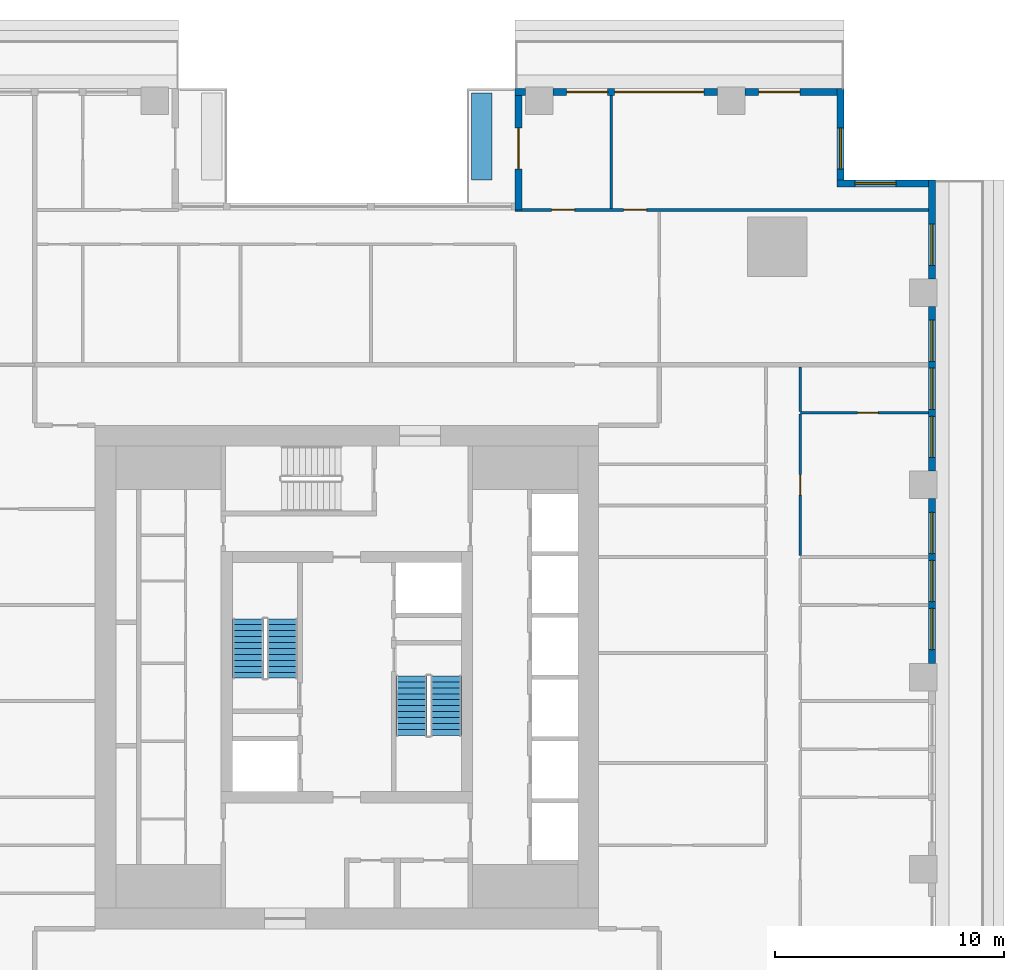
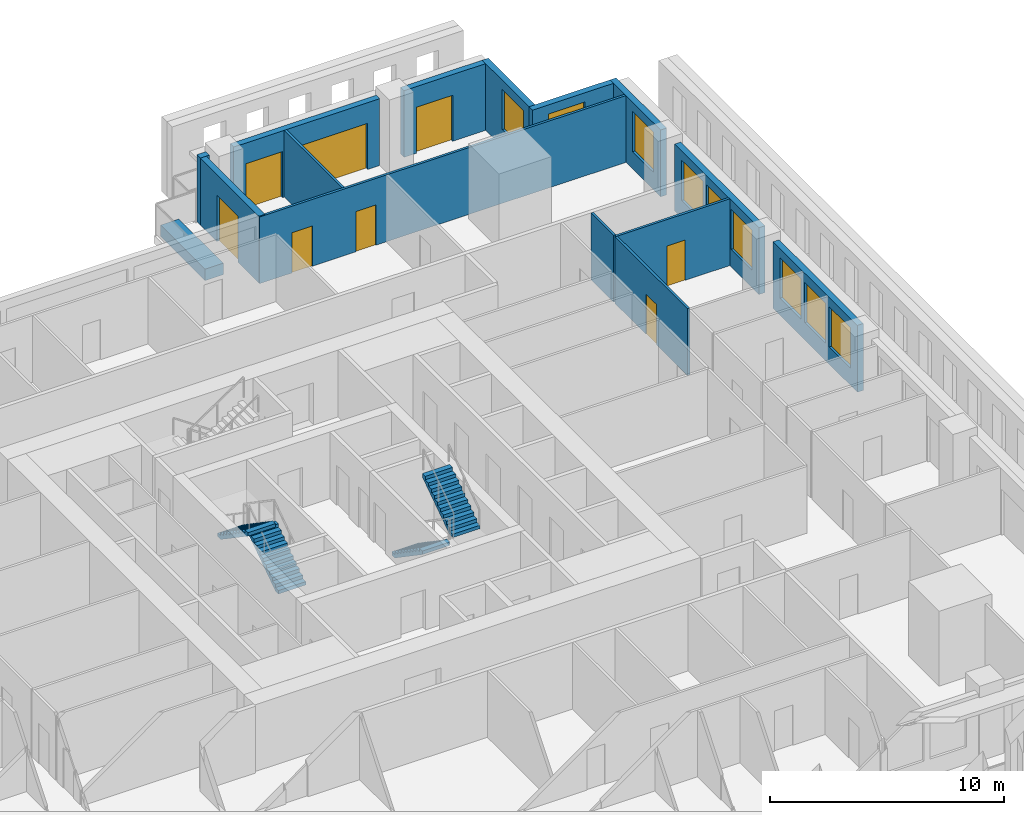
# One storey, part 9 of 16: 15 walls, 9 windows, 8 doors, 4 stair flights, 17 openings, 2 elements without a shape of their own.
"""IFC4 building model written with IfcOpenShell, lengths in metres."""

import ifcopenshell
import ifcopenshell.guid

model = None  # the IFC model being written
_history = None  # IfcOwnerHistory: only IFC2X3 demands one
_inside = {}  # id of a spatial element -> (the spatial element, [elements in it])
_under = {}  # id of a project, library or spatial element -> (it, [spatial elements below it])
_declared = {}  # id of a project -> (the project, [libraries it declares])
_typed = {}  # id of a type object -> (the type object, [elements of that type])
_made_of = {}  # id of a material, layer set ... -> (it, [elements and type objects made of it])


def new_model(schema):
    """Start an empty IFC model of exactly this schema.

    Asked for "IFC4X3", IfcOpenShell would pick the latest addendum, in which some entities
    have other attributes; the version numbers below select the first issue.
    IFC2X3 requires an IfcOwnerHistory on every rooted entity: one is made here for all.
    """
    global model, _history
    if schema == "IFC4X3":
        model = ifcopenshell.file(schema_version=(4, 3, 0, 0))
    else:
        model = ifcopenshell.file(schema=schema)
    _inside.clear()
    _under.clear()
    _declared.clear()
    _typed.clear()
    _made_of.clear()
    _history = None
    if model.schema == "IFC2X3":
        org = make("IfcOrganization", Name="unknown")
        user = make(
            "IfcPersonAndOrganization",
            ThePerson=make("IfcPerson", FamilyName="unknown"),
            TheOrganization=org,
        )
        app = make(
            "IfcApplication",
            ApplicationDeveloper=org,
            Version="unknown",
            ApplicationFullName="unknown",
            ApplicationIdentifier="unknown",
        )
        _history = make(
            "IfcOwnerHistory",
            OwningUser=user,
            OwningApplication=app,
            ChangeAction="ADDED",
            CreationDate=0,
        )
    return model


def make(cls, **values):
    """One entity of the class cls with the attributes given. An attribute that is None is left unset."""
    return model.create_entity(
        cls, **{name: value for name, value in values.items() if value is not None}
    )


def rooted(cls, **values):
    """An entity with a GlobalId (a new one), such as an element, a storey or a relation."""
    return make(cls, GlobalId=ifcopenshell.guid.new(), OwnerHistory=_history, **values)


def si_unit(unit_type, name, prefix=None):
    """IfcSIUnit, for example si_unit("LENGTHUNIT", "METRE", prefix="MILLI")."""
    return make("IfcSIUnit", UnitType=unit_type, Prefix=prefix, Name=name)


def assignment(units):
    """IfcUnitAssignment: the units of a project."""
    return None if units is None else make("IfcUnitAssignment", Units=units)


def point(xyz):
    """IfcCartesianPoint."""
    return None if xyz is None else make("IfcCartesianPoint", Coordinates=xyz)


def direction(xyz):
    """IfcDirection."""
    return None if xyz is None else make("IfcDirection", DirectionRatios=xyz)


def frame(location, z_axis=None, x_axis=None):
    """IfcAxis2Placement3D, a coordinate frame: its origin and axes. An axis left out is left unset."""
    return make(
        "IfcAxis2Placement3D",
        Location=point(location),
        Axis=direction(z_axis),
        RefDirection=direction(x_axis),
    )


def frame_2d(location, x_axis=None):
    """IfcAxis2Placement2D, a coordinate frame in the plane: its origin and x axis."""
    return make(
        "IfcAxis2Placement2D", Location=point(location), RefDirection=direction(x_axis)
    )


def origin():
    """The frame at (0, 0, 0) with its axes left unset."""
    return frame((0.0, 0.0, 0.0))


def place(relative_to, where):
    """IfcLocalPlacement: puts the frame where relative to a parent placement (None: the world)."""
    return make(
        "IfcLocalPlacement", PlacementRelTo=relative_to, RelativePlacement=where
    )


def context(
    kind, dimensions, precision=None, world=None, true_north=None, identifier=None
):
    """IfcGeometricRepresentationContext, for example the 3D "Model" context."""
    return make(
        "IfcGeometricRepresentationContext",
        ContextIdentifier=identifier,
        ContextType=kind,
        CoordinateSpaceDimension=dimensions,
        Precision=precision,
        WorldCoordinateSystem=world,
        TrueNorth=true_north,
    )


def subcontext(parent, identifier, kind, view, scale=None):
    """IfcGeometricRepresentationSubContext, for example "Body" below "Model"."""
    return make(
        "IfcGeometricRepresentationSubContext",
        ContextIdentifier=identifier,
        ContextType=kind,
        ParentContext=parent,
        TargetScale=scale,
        TargetView=view,
    )


def project(units=None, contexts=None):
    """IfcProject with its units and contexts."""
    return rooted(
        "IfcProject",
        Name="project",
        RepresentationContexts=contexts,
        UnitsInContext=assignment(units),
    )


def spatial(cls, under=None, at=None, **own):
    """A site, building, storey or space (cls), placed at a placement, below another one or the project."""
    s = rooted(cls, ObjectPlacement=at, **own)
    if under is not None:
        _under.setdefault(under.id(), (under, []))[1].append(s)
    return s


def polyline(points):
    """IfcPolyline through the points."""
    return make("IfcPolyline", Points=[point(p) for p in points])


def profile(cls, at=None, kind="AREA", **sizes):
    """A parametric profile (cls). Its sizes go by their IFC names, for example OverallWidth=200.0."""
    return make(cls, ProfileType=kind, Position=at, **sizes)


def rectangle(**sizes):
    """IfcRectangleProfileDef."""
    return profile("IfcRectangleProfileDef", **sizes)


def outline(outer, holes=None, kind="AREA"):
    """IfcArbitraryClosedProfileDef: a profile drawn as a closed curve; with holes, ...WithVoids."""
    if holes is None:
        return make("IfcArbitraryClosedProfileDef", ProfileType=kind, OuterCurve=outer)
    return make(
        "IfcArbitraryProfileDefWithVoids",
        ProfileType=kind,
        OuterCurve=outer,
        InnerCurves=holes,
    )


def extrude(swept, where, along, depth):
    """IfcExtrudedAreaSolid: the profile swept, set in the frame where, extruded along a direction by depth."""
    return make(
        "IfcExtrudedAreaSolid",
        SweptArea=swept,
        Position=where,
        ExtrudedDirection=direction(along),
        Depth=depth,
    )


def shape(context_of_items, identifier, shape_type, items):
    """IfcShapeRepresentation: the items that make up one representation, for example the "Body"."""
    return make(
        "IfcShapeRepresentation",
        ContextOfItems=context_of_items,
        RepresentationIdentifier=identifier,
        RepresentationType=shape_type,
        Items=items,
    )


def material(Name=None, Category=None):
    """IfcMaterial."""
    return make("IfcMaterial", Name=Name, Category=Category)


def layer(
    of_material, thickness, ventilated=None, Name=None, Category=None, Priority=None
):
    """IfcMaterialLayer: one layer of a wall or slab, of a material (None: an air gap)."""
    return make(
        "IfcMaterialLayer",
        Material=of_material,
        LayerThickness=thickness,
        IsVentilated=ventilated,
        Name=Name,
        Category=Category,
        Priority=Priority,
    )


def layer_set(layers, Name=None):
    """IfcMaterialLayerSet."""
    return make("IfcMaterialLayerSet", MaterialLayers=layers, LayerSetName=Name)


def made_of(thing, what):
    """Note that an element or type object is made of a material, layer set ...; save() writes the relation."""
    if what is not None:
        _made_of.setdefault(what.id(), (what, []))[1].append(thing)
    return thing


def type_object(cls, material=None, **own):
    """A type object (cls), such as IfcWallType, which elements share."""
    return made_of(rooted(cls, **own), material)


def element(
    cls,
    number,
    at=None,
    inside=None,
    cuts=None,
    type_object=None,
    material=None,
    context=None,
    identifier="Body",
    shape_type=None,
    held_by="IfcProductDefinitionShape",
    body=None,
    shapes=None,
    **own,
):
    """One element of the class cls, such as IfcWall. Its Tag is "e" and its number.

    at: its placement. inside: the storey or other place that contains it. cuts: it is an
    opening in that element (IfcRelVoidsElement). A single representation is given by context,
    identifier, shape_type and body (its items); several are given by shapes. held_by: the class
    of the entity that holds the representations. save() writes the other relations.
    """
    e = rooted(cls, Tag="e%d" % number, ObjectPlacement=at, **own)
    if body is not None:
        shapes = [shape(context, identifier, shape_type, body)]
    if shapes is not None:
        e.Representation = make(held_by, Representations=shapes)
    if inside is not None:
        _inside.setdefault(inside.id(), (inside, []))[1].append(e)
    if cuts is not None:
        rooted(
            "IfcRelVoidsElement", RelatingBuildingElement=cuts, RelatedOpeningElement=e
        )
    if type_object is not None:
        _typed.setdefault(type_object.id(), (type_object, []))[1].append(e)
    return made_of(e, material)


def fill(opening, filler):
    """IfcRelFillsElement: the door or window that sits in an opening."""
    return rooted(
        "IfcRelFillsElement",
        RelatingOpeningElement=opening,
        RelatedBuildingElement=filler,
    )


def aggregate(whole, parts):
    """IfcRelAggregates: a whole, such as a stair, and the parts it consists of."""
    return rooted("IfcRelAggregates", RelatingObject=whole, RelatedObjects=parts)


def save(model, path):
    """Write the relations noted so far, then the file.

    IfcRelAggregates (storeys below a building ...), IfcRelContainedInSpatialStructure (elements
    in a storey), IfcRelDefinesByType, IfcRelAssociatesMaterial and IfcRelDeclares: one each for
    every whole, place, type object, material and project.
    """
    for whole, parts in _under.values():
        aggregate(whole, parts)
    for where, things in _inside.values():
        rooted(
            "IfcRelContainedInSpatialStructure",
            RelatedElements=things,
            RelatingStructure=where,
        )
    for kind, things in _typed.values():
        rooted("IfcRelDefinesByType", RelatedObjects=things, RelatingType=kind)
    for what, things in _made_of.values():
        rooted("IfcRelAssociatesMaterial", RelatedObjects=things, RelatingMaterial=what)
    for by, libraries in _declared.values():
        rooted("IfcRelDeclares", RelatingContext=by, RelatedDefinitions=libraries)
    model.write(path)


model = new_model("IFC4")

# Units and contexts
model_context = context("Model", 3, precision=1e-05, world=origin(), true_north=direction((0.0, 1.0)))
body_context = subcontext(model_context, "Body", "Model", "MODEL_VIEW")
ifc_project = project(units=[si_unit("LENGTHUNIT", "METRE"), si_unit("AREAUNIT", "SQUARE_METRE"), si_unit("VOLUMEUNIT", "CUBIC_METRE"), si_unit("PLANEANGLEUNIT", "RADIAN"), si_unit("MASSUNIT", "GRAM", prefix="KILO")], contexts=[model_context])

# Site, building, storey
site_placement = place(None, origin())
site = spatial("IfcSite", under=ifc_project, at=site_placement, CompositionType="ELEMENT")
building_placement = place(site_placement, origin())
building = spatial("IfcBuilding", under=site, at=building_placement, Name="Khepri Terraces", CompositionType="ELEMENT")
storey_placement = place(building_placement, frame((0.0, 0.0, 149.39990234375)))
storey = spatial("IfcBuildingStorey", under=building, at=storey_placement, Name="L35", CompositionType="ELEMENT", Elevation=149.39990234375)

# Wall, openings, windows
ifc_material_1 = material(Name="Precast concrete C50/60 warm stone", Category="masonry")
ifc_layer_1 = layer(ifc_material_1, 0.300048828125, Name="Precast concrete C50/60 warm stone", Category="masonry")
ifc_layer_set_1 = layer_set([ifc_layer_1], Name="Precast concrete C50/60 warm stone")
wall_type_1 = type_object("IfcWallType", Name="WL-EXT-PRECAST-300", PredefinedType="STANDARD", material=ifc_layer_set_1)
wall_1_placement = place(storey_placement, frame((25.570068359375, 0.60009765625, 0.0), z_axis=(0.0, 0.0, 1.0), x_axis=(0.0, 1.0, 0.0)))
wall_1 = element("IfcWall", 1, at=wall_1_placement, inside=storey, type_object=wall_type_1, Name="External wall L35 E", PredefinedType="STANDARD", context=body_context, shape_type="SweptSolid", body=[
    extrude(rectangle(XDim=7.199951171875, YDim=0.300048828125, at=frame_2d((3.60009765625, 0.0))), origin(), (0.0, 0.0, 1.0), 3.47998046875),
])
opening_1_placement = place(wall_1_placement, frame((0.60009765625, 0.0, 0.89990234375)))
opening_1 = element("IfcOpeningElement", 2, at=opening_1_placement, cuts=wall_1, Name="Opening W1", PredefinedType="OPENING", context=body_context, shape_type="SweptSolid", body=[
    extrude(rectangle(XDim=1.800048828125, YDim=2.10009765625, at=frame_2d((0.89990234375, 1.050048828125))), frame((0.0, 0.16015625, 0.0), z_axis=(0.0, -1.0, 0.0), x_axis=(1.0, 0.0, 0.0)), (0.0, 0.0, 1.0), 0.320068359375),
])
opening_2_placement = place(wall_1_placement, frame((2.699951171875, 0.0, 0.89990234375)))
opening_2 = element("IfcOpeningElement", 3, at=opening_2_placement, cuts=wall_1, Name="Opening W1", PredefinedType="OPENING", context=body_context, shape_type="SweptSolid", body=[
    extrude(rectangle(XDim=1.800048828125, YDim=2.10009765625, at=frame_2d((0.89990234375, 1.050048828125))), frame((0.0, 0.16015625, 0.0), z_axis=(0.0, -1.0, 0.0), x_axis=(1.0, 0.0, 0.0)), (0.0, 0.0, 1.0), 0.320068359375),
])
opening_3_placement = place(wall_1_placement, frame((4.800048828125, 0.0, 0.89990234375)))
opening_3 = element("IfcOpeningElement", 4, at=opening_3_placement, cuts=wall_1, Name="Opening W1", PredefinedType="OPENING", context=body_context, shape_type="SweptSolid", body=[
    extrude(rectangle(XDim=1.800048828125, YDim=2.10009765625, at=frame_2d((0.89990234375, 1.050048828125))), frame((0.0, 0.16015625, 0.0), z_axis=(0.0, -1.0, 0.0), x_axis=(1.0, 0.0, 0.0)), (0.0, 0.0, 1.0), 0.320068359375),
])
ifc_material_2 = material(Name="Clear glass", Category="glass")
window_type = type_object("IfcWindowType", Name="WIN-RES-1800x2100", PartitioningType="SINGLE_PANEL", PredefinedType="WINDOW", material=ifc_material_2)
window_1_placement = place(opening_1_placement, origin())
window_1 = element("IfcWindow", 5, at=window_1_placement, inside=storey, type_object=window_type, Name="Window L35 E", OverallHeight=2.10009765625, OverallWidth=1.800048828125, PartitioningType="SINGLE_PANEL", PredefinedType="WINDOW", context=body_context, shape_type="SweptSolid", body=[
    extrude(rectangle(XDim=1.800048828125, YDim=2.10009765625, at=frame_2d((0.89990234375, 1.050048828125))), frame((0.0, 0.030029296875, 0.0), z_axis=(0.0, -1.0, 0.0), x_axis=(1.0, 0.0, 0.0)), (0.0, 0.0, 1.0), 0.06005859375),
])
fill(opening_1, window_1)
window_2_placement = place(opening_2_placement, origin())
window_2 = element("IfcWindow", 6, at=window_2_placement, inside=storey, type_object=window_type, Name="Window L35 E", OverallHeight=2.10009765625, OverallWidth=1.800048828125, PartitioningType="SINGLE_PANEL", PredefinedType="WINDOW", context=body_context, shape_type="SweptSolid", body=[
    extrude(rectangle(XDim=1.800048828125, YDim=2.10009765625, at=frame_2d((0.89990234375, 1.050048828125))), frame((0.0, 0.030029296875, 0.0), z_axis=(0.0, -1.0, 0.0), x_axis=(1.0, 0.0, 0.0)), (0.0, 0.0, 1.0), 0.06005859375),
])
fill(opening_2, window_2)
window_3_placement = place(opening_3_placement, origin())
window_3 = element("IfcWindow", 7, at=window_3_placement, inside=storey, type_object=window_type, Name="Window L35 E", OverallHeight=2.10009765625, OverallWidth=1.800048828125, PartitioningType="SINGLE_PANEL", PredefinedType="WINDOW", context=body_context, shape_type="SweptSolid", body=[
    extrude(rectangle(XDim=1.800048828125, YDim=2.10009765625, at=frame_2d((0.89990234375, 1.050048828125))), frame((0.0, 0.030029296875, 0.0), z_axis=(0.0, -1.0, 0.0), x_axis=(1.0, 0.0, 0.0)), (0.0, 0.0, 1.0), 0.06005859375),
])
fill(opening_3, window_3)

wall_2_placement = place(storey_placement, frame((25.570068359375, 9.0, 0.0), z_axis=(0.0, 0.0, 1.0), x_axis=(0.0, 1.0, 0.0)))
wall_2 = element("IfcWall", 8, at=wall_2_placement, inside=storey, type_object=wall_type_1, Name="External wall L35 E", PredefinedType="STANDARD", context=body_context, shape_type="SweptSolid", body=[
    extrude(rectangle(XDim=7.199951171875, YDim=0.300048828125, at=frame_2d((3.60009765625, 0.0))), origin(), (0.0, 0.0, 1.0), 3.47998046875),
])
opening_4_placement = place(wall_2_placement, frame((0.60009765625, 0.0, 0.89990234375)))
opening_4 = element("IfcOpeningElement", 9, at=opening_4_placement, cuts=wall_2, Name="Opening W1", PredefinedType="OPENING", context=body_context, shape_type="SweptSolid", body=[
    extrude(rectangle(XDim=1.800048828125, YDim=2.10009765625, at=frame_2d((0.89990234375, 1.050048828125))), frame((0.0, 0.16015625, 0.0), z_axis=(0.0, -1.0, 0.0), x_axis=(1.0, 0.0, 0.0)), (0.0, 0.0, 1.0), 0.320068359375),
])
opening_5_placement = place(wall_2_placement, frame((2.699951171875, 0.0, 0.89990234375)))
opening_5 = element("IfcOpeningElement", 10, at=opening_5_placement, cuts=wall_2, Name="Opening W1", PredefinedType="OPENING", context=body_context, shape_type="SweptSolid", body=[
    extrude(rectangle(XDim=1.800048828125, YDim=2.10009765625, at=frame_2d((0.89990234375, 1.050048828125))), frame((0.0, 0.16015625, 0.0), z_axis=(0.0, -1.0, 0.0), x_axis=(1.0, 0.0, 0.0)), (0.0, 0.0, 1.0), 0.320068359375),
])
opening_6_placement = place(wall_2_placement, frame((4.800048828125, 0.0, 0.89990234375)))
opening_6 = element("IfcOpeningElement", 11, at=opening_6_placement, cuts=wall_2, Name="Opening W1", PredefinedType="OPENING", context=body_context, shape_type="SweptSolid", body=[
    extrude(rectangle(XDim=1.800048828125, YDim=2.10009765625, at=frame_2d((0.89990234375, 1.050048828125))), frame((0.0, 0.16015625, 0.0), z_axis=(0.0, -1.0, 0.0), x_axis=(1.0, 0.0, 0.0)), (0.0, 0.0, 1.0), 0.320068359375),
])
window_4_placement = place(opening_4_placement, origin())
window_4 = element("IfcWindow", 12, at=window_4_placement, inside=storey, type_object=window_type, Name="Window L35 E", OverallHeight=2.10009765625, OverallWidth=1.800048828125, PartitioningType="SINGLE_PANEL", PredefinedType="WINDOW", context=body_context, shape_type="SweptSolid", body=[
    extrude(rectangle(XDim=1.800048828125, YDim=2.10009765625, at=frame_2d((0.89990234375, 1.050048828125))), frame((0.0, 0.030029296875, 0.0), z_axis=(0.0, -1.0, 0.0), x_axis=(1.0, 0.0, 0.0)), (0.0, 0.0, 1.0), 0.06005859375),
])
fill(opening_4, window_4)
window_5_placement = place(opening_5_placement, origin())
window_5 = element("IfcWindow", 13, at=window_5_placement, inside=storey, type_object=window_type, Name="Window L35 E", OverallHeight=2.10009765625, OverallWidth=1.800048828125, PartitioningType="SINGLE_PANEL", PredefinedType="WINDOW", context=body_context, shape_type="SweptSolid", body=[
    extrude(rectangle(XDim=1.800048828125, YDim=2.10009765625, at=frame_2d((0.89990234375, 1.050048828125))), frame((0.0, 0.030029296875, 0.0), z_axis=(0.0, -1.0, 0.0), x_axis=(1.0, 0.0, 0.0)), (0.0, 0.0, 1.0), 0.06005859375),
])
fill(opening_5, window_5)
window_6_placement = place(opening_6_placement, origin())
window_6 = element("IfcWindow", 14, at=window_6_placement, inside=storey, type_object=window_type, Name="Window L35 E", OverallHeight=2.10009765625, OverallWidth=1.800048828125, PartitioningType="SINGLE_PANEL", PredefinedType="WINDOW", context=body_context, shape_type="SweptSolid", body=[
    extrude(rectangle(XDim=1.800048828125, YDim=2.10009765625, at=frame_2d((0.89990234375, 1.050048828125))), frame((0.0, 0.030029296875, 0.0), z_axis=(0.0, -1.0, 0.0), x_axis=(1.0, 0.0, 0.0)), (0.0, 0.0, 1.0), 0.06005859375),
])
fill(opening_6, window_6)

# Wall, opening, window
wall_3_placement = place(storey_placement, frame((25.570068359375, 17.39990234375, 0.0), z_axis=(0.0, 0.0, 1.0), x_axis=(0.0, 1.0, 0.0)))
wall_3 = element("IfcWall", 15, at=wall_3_placement, inside=storey, type_object=wall_type_1, Name="External wall L35 E", PredefinedType="STANDARD", context=body_context, shape_type="SweptSolid", body=[
    extrude(rectangle(XDim=4.320068359375, YDim=0.300048828125, at=frame_2d((2.16015625, 0.0))), origin(), (0.0, 0.0, 1.0), 3.47998046875),
])
opening_7_placement = place(wall_3_placement, frame((0.60009765625, 0.0, 0.89990234375)))
opening_7 = element("IfcOpeningElement", 16, at=opening_7_placement, cuts=wall_3, Name="Opening W1", PredefinedType="OPENING", context=body_context, shape_type="SweptSolid", body=[
    extrude(rectangle(XDim=1.800048828125, YDim=2.10009765625, at=frame_2d((0.89990234375, 1.050048828125))), frame((0.0, 0.16015625, 0.0), z_axis=(0.0, -1.0, 0.0), x_axis=(1.0, 0.0, 0.0)), (0.0, 0.0, 1.0), 0.320068359375),
])
window_7_placement = place(opening_7_placement, origin())
window_7 = element("IfcWindow", 17, at=window_7_placement, inside=storey, type_object=window_type, Name="Window L35 E", OverallHeight=2.10009765625, OverallWidth=1.800048828125, PartitioningType="SINGLE_PANEL", PredefinedType="WINDOW", context=body_context, shape_type="SweptSolid", body=[
    extrude(rectangle(XDim=1.800048828125, YDim=2.10009765625, at=frame_2d((0.89990234375, 1.050048828125))), frame((0.0, 0.030029296875, 0.0), z_axis=(0.0, -1.0, 0.0), x_axis=(1.0, 0.0, 0.0)), (0.0, 0.0, 1.0), 0.06005859375),
])
fill(opening_7, window_7)

wall_4_placement = place(storey_placement, frame((25.419921875, 21.570068359375, 0.0), z_axis=(0.0, 0.0, 1.0), x_axis=(-1.0, 0.0, 0.0)))
wall_4 = element("IfcWall", 18, at=wall_4_placement, inside=storey, type_object=wall_type_1, Name="External wall L35 N", PredefinedType="STANDARD", context=body_context, shape_type="SweptSolid", body=[
    extrude(rectangle(XDim=4.0, YDim=0.300048828125, at=frame_2d((2.0, 0.0))), origin(), (0.0, 0.0, 1.0), 3.47998046875),
])
opening_8_placement = place(wall_4_placement, frame((1.419921875, 0.0, 0.89990234375)))
opening_8 = element("IfcOpeningElement", 19, at=opening_8_placement, cuts=wall_4, Name="Opening W1", PredefinedType="OPENING", context=body_context, shape_type="SweptSolid", body=[
    extrude(rectangle(XDim=1.800048828125, YDim=2.10009765625, at=frame_2d((0.89990234375, 1.050048828125))), frame((0.0, 0.16015625, 0.0), z_axis=(0.0, -1.0, 0.0), x_axis=(1.0, 0.0, 0.0)), (0.0, 0.0, 1.0), 0.320068359375),
])
window_8_placement = place(opening_8_placement, origin())
window_8 = element("IfcWindow", 20, at=window_8_placement, inside=storey, type_object=window_type, Name="Window L35 N", OverallHeight=2.10009765625, OverallWidth=1.800048828125, PartitioningType="SINGLE_PANEL", PredefinedType="WINDOW", context=body_context, shape_type="SweptSolid", body=[
    extrude(rectangle(XDim=1.800048828125, YDim=2.10009765625, at=frame_2d((0.89990234375, 1.050048828125))), frame((0.0, 0.030029296875, 0.0), z_axis=(0.0, -1.0, 0.0), x_axis=(1.0, 0.0, 0.0)), (0.0, 0.0, 1.0), 0.06005859375),
])
fill(opening_8, window_8)

wall_5_placement = place(storey_placement, frame((21.570068359375, 21.719970703125, 0.0), z_axis=(0.0, 0.0, 1.0), x_axis=(0.0, 1.0, 0.0)))
wall_5 = element("IfcWall", 21, at=wall_5_placement, inside=storey, type_object=wall_type_1, Name="External wall L35 E", PredefinedType="STANDARD", context=body_context, shape_type="SweptSolid", body=[
    extrude(rectangle(XDim=4.0, YDim=0.300048828125, at=frame_2d((2.0, 0.0))), origin(), (0.0, 0.0, 1.0), 3.47998046875),
])
opening_9_placement = place(wall_5_placement, frame((0.47998046875, 0.0, 0.89990234375)))
opening_9 = element("IfcOpeningElement", 22, at=opening_9_placement, cuts=wall_5, Name="Opening W1", PredefinedType="OPENING", context=body_context, shape_type="SweptSolid", body=[
    extrude(rectangle(XDim=1.800048828125, YDim=2.10009765625, at=frame_2d((0.89990234375, 1.050048828125))), frame((0.0, 0.16015625, 0.0), z_axis=(0.0, -1.0, 0.0), x_axis=(1.0, 0.0, 0.0)), (0.0, 0.0, 1.0), 0.320068359375),
])
window_9_placement = place(opening_9_placement, origin())
window_9 = element("IfcWindow", 23, at=window_9_placement, inside=storey, type_object=window_type, Name="Window L35 E", OverallHeight=2.10009765625, OverallWidth=1.800048828125, PartitioningType="SINGLE_PANEL", PredefinedType="WINDOW", context=body_context, shape_type="SweptSolid", body=[
    extrude(rectangle(XDim=1.800048828125, YDim=2.10009765625, at=frame_2d((0.89990234375, 1.050048828125))), frame((0.0, 0.030029296875, 0.0), z_axis=(0.0, -1.0, 0.0), x_axis=(1.0, 0.0, 0.0)), (0.0, 0.0, 1.0), 0.06005859375),
])
fill(opening_9, window_9)

# Wall, opening, door
wall_6_placement = place(storey_placement, frame((21.419921875, 25.570068359375, 0.0), z_axis=(0.0, 0.0, 1.0), x_axis=(-1.0, 0.0, 0.0)))
wall_6 = element("IfcWall", 24, at=wall_6_placement, inside=storey, type_object=wall_type_1, Name="External wall L35 N", PredefinedType="STANDARD", context=body_context, shape_type="SweptSolid", body=[
    extrude(rectangle(XDim=4.02001953125, YDim=0.300048828125, at=frame_2d((2.010009765625, 0.0))), origin(), (0.0, 0.0, 1.0), 3.47998046875),
])
opening_10_placement = place(wall_6_placement, frame((1.6201171875, 0.0, 0.0)))
opening_10 = element("IfcOpeningElement", 25, at=opening_10_placement, cuts=wall_6, Name="Opening ED-L35-05", PredefinedType="OPENING", context=body_context, shape_type="SweptSolid", body=[
    extrude(rectangle(XDim=1.800048828125, YDim=2.39990234375, at=frame_2d((0.89990234375, 1.199951171875))), frame((0.0, 0.16015625, 0.0), z_axis=(0.0, -1.0, 0.0), x_axis=(1.0, 0.0, 0.0)), (0.0, 0.0, 1.0), 0.320068359375),
])
ifc_material_3 = material(Name="Anodised aluminium bronze glazed door", Category="aluminium")
door_type_1 = type_object("IfcDoorType", Name="DR-BAL-SLIDE-1800x2400", OperationType="NOTDEFINED", PredefinedType="DOOR", material=ifc_material_3)
door_1_placement = place(opening_10_placement, origin())
door_1 = element("IfcDoor", 26, at=door_1_placement, inside=storey, type_object=door_type_1, Name="Balcony door L35 N", OperationType="SLIDING_TO_RIGHT", OverallHeight=2.39990234375, OverallWidth=1.800048828125, PredefinedType="DOOR", context=body_context, shape_type="SweptSolid", body=[
    extrude(rectangle(XDim=1.800048828125, YDim=2.39990234375, at=frame_2d((0.89990234375, 1.199951171875))), frame((0.0, 0.02490234375, 0.0), z_axis=(0.0, -1.0, 0.0), x_axis=(1.0, 0.0, 0.0)), (0.0, 0.0, 1.0), 0.050048828125),
])
fill(opening_10, door_1)

# Wall, openings, doors
wall_7_placement = place(storey_placement, frame((16.199951171875, 25.570068359375, 0.0), z_axis=(0.0, 0.0, 1.0), x_axis=(-1.0, 0.0, 0.0)))
wall_7 = element("IfcWall", 27, at=wall_7_placement, inside=storey, type_object=wall_type_1, Name="External wall L35 N", PredefinedType="STANDARD", context=body_context, shape_type="SweptSolid", body=[
    extrude(rectangle(XDim=7.199951171875, YDim=0.300048828125, at=frame_2d((3.60009765625, 0.0))), origin(), (0.0, 0.0, 1.0), 3.47998046875),
])
opening_11_placement = place(wall_7_placement, frame((0.60009765625, 0.0, 0.0)))
opening_11 = element("IfcOpeningElement", 28, at=opening_11_placement, cuts=wall_7, Name="Opening ED-L35-06", PredefinedType="OPENING", context=body_context, shape_type="SweptSolid", body=[
    extrude(rectangle(XDim=3.89990234375, YDim=2.39990234375, at=frame_2d((1.949951171875, 1.199951171875))), frame((0.0, 0.16015625, 0.0), z_axis=(0.0, -1.0, 0.0), x_axis=(1.0, 0.0, 0.0)), (0.0, 0.0, 1.0), 0.320068359375),
])
opening_12_placement = place(wall_7_placement, frame((4.800048828125, 0.0, 0.0)))
opening_12 = element("IfcOpeningElement", 29, at=opening_12_placement, cuts=wall_7, Name="Opening ED-L35-07", PredefinedType="OPENING", context=body_context, shape_type="SweptSolid", body=[
    extrude(rectangle(XDim=1.800048828125, YDim=2.39990234375, at=frame_2d((0.89990234375, 1.199951171875))), frame((0.0, 0.16015625, 0.0), z_axis=(0.0, -1.0, 0.0), x_axis=(1.0, 0.0, 0.0)), (0.0, 0.0, 1.0), 0.320068359375),
])
door_2_placement = place(opening_12_placement, origin())
door_2 = element("IfcDoor", 30, at=door_2_placement, inside=storey, type_object=door_type_1, Name="Balcony door L35 N", OperationType="SLIDING_TO_RIGHT", OverallHeight=2.39990234375, OverallWidth=1.800048828125, PredefinedType="DOOR", context=body_context, shape_type="SweptSolid", body=[
    extrude(rectangle(XDim=1.800048828125, YDim=2.39990234375, at=frame_2d((0.89990234375, 1.199951171875))), frame((0.0, 0.02490234375, 0.0), z_axis=(0.0, -1.0, 0.0), x_axis=(1.0, 0.0, 0.0)), (0.0, 0.0, 1.0), 0.050048828125),
])
fill(opening_12, door_2)
door_type_2 = type_object("IfcDoorType", Name="DR-BAL-SLIDE-3900x2400", OperationType="NOTDEFINED", PredefinedType="DOOR", material=ifc_material_3)
door_3_placement = place(opening_11_placement, origin())
door_3 = element("IfcDoor", 31, at=door_3_placement, inside=storey, type_object=door_type_2, Name="Balcony door L35 N", OperationType="SLIDING_TO_LEFT", OverallHeight=2.39990234375, OverallWidth=3.89990234375, PredefinedType="DOOR", context=body_context, shape_type="SweptSolid", body=[
    extrude(rectangle(XDim=3.89990234375, YDim=2.39990234375, at=frame_2d((1.949951171875, 1.199951171875))), frame((0.0, 0.02490234375, 0.0), z_axis=(0.0, -1.0, 0.0), x_axis=(1.0, 0.0, 0.0)), (0.0, 0.0, 1.0), 0.050048828125),
])
fill(opening_11, door_3)

# Wall
wall_8_placement = place(storey_placement, frame((7.800048828125, 25.570068359375, 0.0), z_axis=(0.0, 0.0, 1.0), x_axis=(-1.0, 0.0, 0.0)))
element("IfcWall", 32, at=wall_8_placement, inside=storey, type_object=wall_type_1, Name="External wall L35 N", PredefinedType="STANDARD", context=body_context, shape_type="SweptSolid", body=[
    extrude(rectangle(XDim=0.449951171875, YDim=0.300048828125, at=frame_2d((0.22509765625, 0.0))), origin(), (0.0, 0.0, 1.0), 3.47998046875),
])

# Wall, opening, door
wall_9_placement = place(storey_placement, frame((7.5, 25.419921875, 0.0), z_axis=(0.0, 0.0, 1.0), x_axis=(0.0, -1.0, 0.0)))
wall_9 = element("IfcWall", 33, at=wall_9_placement, inside=storey, type_object=wall_type_1, Name="External wall L35 W", PredefinedType="STANDARD", context=body_context, shape_type="SweptSolid", body=[
    extrude(rectangle(XDim=5.0, YDim=0.300048828125, at=frame_2d((2.5, 0.0))), origin(), (0.0, 0.0, 1.0), 3.47998046875),
])
opening_13_placement = place(wall_9_placement, frame((1.419921875, 0.0, 0.0)))
opening_13 = element("IfcOpeningElement", 34, at=opening_13_placement, cuts=wall_9, Name="Opening ED-L35-08", PredefinedType="OPENING", context=body_context, shape_type="SweptSolid", body=[
    extrude(rectangle(XDim=1.800048828125, YDim=2.39990234375, at=frame_2d((0.89990234375, 1.199951171875))), frame((0.0, 0.16015625, 0.0), z_axis=(0.0, -1.0, 0.0), x_axis=(1.0, 0.0, 0.0)), (0.0, 0.0, 1.0), 0.320068359375),
])
door_4_placement = place(opening_13_placement, origin())
door_4 = element("IfcDoor", 35, at=door_4_placement, inside=storey, type_object=door_type_1, Name="Balcony door L35 W", OperationType="SLIDING_TO_LEFT", OverallHeight=2.39990234375, OverallWidth=1.800048828125, PredefinedType="DOOR", context=body_context, shape_type="SweptSolid", body=[
    extrude(rectangle(XDim=1.800048828125, YDim=2.39990234375, at=frame_2d((0.89990234375, 1.199951171875))), frame((0.0, 0.02490234375, 0.0), z_axis=(0.0, -1.0, 0.0), x_axis=(1.0, 0.0, 0.0)), (0.0, 0.0, 1.0), 0.050048828125),
])
fill(opening_13, door_4)

ifc_material_4 = material(Name="Gypsum plasterboard partition")
ifc_layer_2 = layer(ifc_material_4, 0.1201171875, Name="Gypsum plasterboard partition")
ifc_layer_set_2 = layer_set([ifc_layer_2], Name="Gypsum plasterboard partition")
wall_type_2 = type_object("IfcWallType", Name="WL-PART-120", PredefinedType="PARTITIONING", material=ifc_layer_set_2)
wall_10_placement = place(storey_placement, frame((19.820068359375, 5.31005859375, 0.0), z_axis=(0.0, 0.0, 1.0), x_axis=(0.0, 1.0, 0.0)))
wall_10 = element("IfcWall", 36, at=wall_10_placement, inside=storey, type_object=wall_type_2, Name="Partition P-069 L35", PredefinedType="PARTITIONING", context=body_context, shape_type="SweptSolid", body=[
    extrude(rectangle(XDim=6.179931640625, YDim=0.1201171875, at=frame_2d((3.08984375, 0.0))), origin(), (0.0, 0.0, 1.0), 3.47998046875),
])
opening_14_placement = place(wall_10_placement, frame((2.639892578125, 0.0, 0.0)))
opening_14 = element("IfcOpeningElement", 37, at=opening_14_placement, cuts=wall_10, Name="Opening D3", PredefinedType="OPENING", context=body_context, shape_type="SweptSolid", body=[
    extrude(rectangle(XDim=0.89990234375, YDim=2.10009765625, at=frame_2d((0.449951171875, 1.050048828125))), frame((0.0, 0.070068359375, 0.0), z_axis=(0.0, -1.0, 0.0), x_axis=(1.0, 0.0, 0.0)), (0.0, 0.0, 1.0), 0.14013671875),
])
ifc_material_5 = material(Name="Timber door leaf", Category="wood")
door_type_3 = type_object("IfcDoorType", Name="DR-INT-900", OperationType="NOTDEFINED", PredefinedType="DOOR", material=ifc_material_5)
door_5_placement = place(opening_14_placement, frame((0.89990234375, 0.0, 0.0), z_axis=(0.0, 0.0, 1.0), x_axis=(-1.0, 0.0, 0.0)))
door_5 = element("IfcDoor", 38, at=door_5_placement, inside=storey, type_object=door_type_3, Name="Door Bedroom", OperationType="SINGLE_SWING_LEFT", OverallHeight=2.10009765625, OverallWidth=0.89990234375, PredefinedType="DOOR", context=body_context, shape_type="SweptSolid", body=[
    extrude(rectangle(XDim=0.89990234375, YDim=2.10009765625, at=frame_2d((0.449951171875, 1.050048828125))), frame((0.0, 0.02490234375, 0.0), z_axis=(0.0, -1.0, 0.0), x_axis=(1.0, 0.0, 0.0)), (0.0, 0.0, 1.0), 0.050048828125),
])
fill(opening_14, door_5)

wall_11_placement = place(storey_placement, frame((19.820068359375, 11.550048828125, 0.0), z_axis=(0.0, 0.0, 1.0), x_axis=(1.0, 0.0, 0.0)))
wall_11 = element("IfcWall", 39, at=wall_11_placement, inside=storey, type_object=wall_type_2, Name="Partition P-080 L35", PredefinedType="PARTITIONING", context=body_context, shape_type="SweptSolid", body=[
    extrude(rectangle(XDim=5.599853515625, YDim=0.1201171875, at=frame_2d((2.7998046875, 0.0))), origin(), (0.0, 0.0, 1.0), 3.47998046875),
])
opening_15_placement = place(wall_11_placement, frame((2.5, 0.0, 0.0)))
opening_15 = element("IfcOpeningElement", 40, at=opening_15_placement, cuts=wall_11, Name="Opening D4", PredefinedType="OPENING", context=body_context, shape_type="SweptSolid", body=[
    extrude(rectangle(XDim=0.89990234375, YDim=2.10009765625, at=frame_2d((0.449951171875, 1.050048828125))), frame((0.0, 0.070068359375, 0.0), z_axis=(0.0, -1.0, 0.0), x_axis=(1.0, 0.0, 0.0)), (0.0, 0.0, 1.0), 0.14013671875),
])
ifc_material_6 = material(Name="Timber door leaf, moisture resistant", Category="wood")
door_type_4 = type_object("IfcDoorType", Name="DR-WET-900", OperationType="NOTDEFINED", PredefinedType="DOOR", material=ifc_material_6)
door_6_placement = place(opening_15_placement, origin())
door_6 = element("IfcDoor", 41, at=door_6_placement, inside=storey, type_object=door_type_4, Name="Door Bathroom", OperationType="SINGLE_SWING_RIGHT", OverallHeight=2.10009765625, OverallWidth=0.89990234375, PredefinedType="DOOR", context=body_context, shape_type="SweptSolid", body=[
    extrude(rectangle(XDim=0.89990234375, YDim=2.10009765625, at=frame_2d((0.449951171875, 1.050048828125))), frame((0.0, 0.02490234375, 0.0), z_axis=(0.0, -1.0, 0.0), x_axis=(1.0, 0.0, 0.0)), (0.0, 0.0, 1.0), 0.050048828125),
])
fill(opening_15, door_6)

# Wall
wall_12_placement = place(storey_placement, frame((19.820068359375, 11.610107421875, 0.0), z_axis=(0.0, 0.0, 1.0), x_axis=(0.0, 1.0, 0.0)))
element("IfcWall", 42, at=wall_12_placement, inside=storey, type_object=wall_type_2, Name="Partition P-082 L35", PredefinedType="PARTITIONING", context=body_context, shape_type="SweptSolid", body=[
    extrude(rectangle(XDim=1.93994140625, YDim=0.1201171875, at=frame_2d((0.969970703125, 0.0))), origin(), (0.0, 0.0, 1.0), 3.47998046875),
])

# Wall, openings, doors
wall_13_placement = place(storey_placement, frame((7.35009765625, 20.419921875, 0.0), z_axis=(0.0, 0.0, 1.0), x_axis=(1.0, 0.0, 0.0)))
wall_13 = element("IfcWall", 43, at=wall_13_placement, inside=storey, type_object=wall_type_2, Name="Partition P-095 L35", PredefinedType="PARTITIONING", context=body_context, shape_type="SweptSolid", body=[
    extrude(rectangle(XDim=18.06982421875, YDim=0.1201171875, at=frame_2d((9.034912109375, 0.0))), origin(), (0.0, 0.0, 1.0), 3.47998046875),
])
opening_16_placement = place(wall_13_placement, frame((4.75, 0.0, 0.0)))
opening_16 = element("IfcOpeningElement", 44, at=opening_16_placement, cuts=wall_13, Name="Opening D2", PredefinedType="OPENING", context=body_context, shape_type="SweptSolid", body=[
    extrude(rectangle(XDim=1.0, YDim=2.10009765625, at=frame_2d((0.5, 1.050048828125))), frame((0.0, 0.070068359375, 0.0), z_axis=(0.0, -1.0, 0.0), x_axis=(1.0, 0.0, 0.0)), (0.0, 0.0, 1.0), 0.14013671875),
])
opening_17_placement = place(wall_13_placement, frame((1.60009765625, 0.0, 0.0)))
opening_17 = element("IfcOpeningElement", 45, at=opening_17_placement, cuts=wall_13, Name="Opening D2", PredefinedType="OPENING", context=body_context, shape_type="SweptSolid", body=[
    extrude(rectangle(XDim=1.0, YDim=2.10009765625, at=frame_2d((0.5, 1.050048828125))), frame((0.0, 0.070068359375, 0.0), z_axis=(0.0, -1.0, 0.0), x_axis=(1.0, 0.0, 0.0)), (0.0, 0.0, 1.0), 0.14013671875),
])
ifc_material_7 = material(Name="Timber door leaf, living room door", Category="wood")
door_type_5 = type_object("IfcDoorType", Name="DR-INT-1000", OperationType="NOTDEFINED", PredefinedType="DOOR", material=ifc_material_7)
door_7_placement = place(opening_16_placement, origin())
door_7 = element("IfcDoor", 46, at=door_7_placement, inside=storey, type_object=door_type_5, Name="Door Living Room", OperationType="SINGLE_SWING_LEFT", OverallHeight=2.10009765625, OverallWidth=1.0, PredefinedType="DOOR", context=body_context, shape_type="SweptSolid", body=[
    extrude(rectangle(XDim=1.0, YDim=2.10009765625, at=frame_2d((0.5, 1.050048828125))), frame((0.0, 0.02490234375, 0.0), z_axis=(0.0, -1.0, 0.0), x_axis=(1.0, 0.0, 0.0)), (0.0, 0.0, 1.0), 0.050048828125),
])
fill(opening_16, door_7)
door_8_placement = place(opening_17_placement, origin())
door_8 = element("IfcDoor", 47, at=door_8_placement, inside=storey, type_object=door_type_5, Name="Door Sun Lounge", OperationType="SINGLE_SWING_LEFT", OverallHeight=2.10009765625, OverallWidth=1.0, PredefinedType="DOOR", context=body_context, shape_type="SweptSolid", body=[
    extrude(rectangle(XDim=1.0, YDim=2.10009765625, at=frame_2d((0.5, 1.050048828125))), frame((0.0, 0.02490234375, 0.0), z_axis=(0.0, -1.0, 0.0), x_axis=(1.0, 0.0, 0.0)), (0.0, 0.0, 1.0), 0.050048828125),
])
fill(opening_17, door_8)

# Walls
wall_14_placement = place(storey_placement, frame((11.550048828125, 20.47998046875, 0.0), z_axis=(0.0, 0.0, 1.0), x_axis=(0.0, 1.0, 0.0)))
element("IfcWall", 48, at=wall_14_placement, inside=storey, type_object=wall_type_2, Name="Partition P-099 L35", PredefinedType="PARTITIONING", context=body_context, shape_type="SweptSolid", body=[
    extrude(rectangle(XDim=4.93994140625, YDim=0.1201171875, at=frame_2d((2.469970703125, 0.0))), origin(), (0.0, 0.0, 1.0), 3.47998046875),
])
ifc_layer_3 = layer(ifc_material_1, 0.89990234375, Name="Precast concrete C50/60 warm stone", Category="masonry")
ifc_layer_set_3 = layer_set([ifc_layer_3], Name="Precast concrete C50/60 warm stone")
wall_type_3 = type_object("IfcWallType", Name="WL-PLANTER-900", PredefinedType="MOVABLE", material=ifc_layer_set_3)
wall_15_placement = place(storey_placement, frame((5.89990234375, 21.719970703125, 0.0), z_axis=(0.0, 0.0, 1.0), x_axis=(0.0, 1.0, 0.0)))
element("IfcWall", 49, at=wall_15_placement, inside=storey, type_object=wall_type_3, Name="Planter L35", PredefinedType="MOVABLE", context=body_context, shape_type="SweptSolid", body=[
    extrude(rectangle(XDim=3.800048828125, YDim=0.89990234375, at=frame_2d((1.89990234375, 0.0))), origin(), (0.0, 0.0, 1.0), 0.60009765625),
])

# Stair, stair flights
ifc_material_8 = material(Name="Concrete C40/50", Category="concrete")
stair_type = type_object("IfcStairType", Name="STAIR-RC-22R", PredefinedType="HALF_TURN_STAIR", material=ifc_material_8)
stair_1_placement = place(storey_placement, origin())
stair_1 = element("IfcStair", 50, at=stair_1_placement, inside=storey, type_object=stair_type, Name="L35 Exit Stair ST-1", PredefinedType="HALF_TURN_STAIR")
stair_flight_type = type_object("IfcStairFlightType", Name="SFL-RC-177.3", PredefinedType="STRAIGHT", material=ifc_material_8)
stair_flight_1_placement = place(storey_placement, frame((-2.824951171875, -0.050048828125, 0.0), z_axis=(0.0, 0.0, 1.0), x_axis=(0.0, 1.0, 0.0)))
stair_flight_1 = element("IfcStairFlight", 51, at=stair_flight_1_placement, type_object=stair_flight_type, Name="ST-1 flight 1", NumberOfRisers=11, NumberOfTreads=10, PredefinedType="STRAIGHT", RiserHeight=0.177272727, TreadLength=0.26, context=body_context, shape_type="SweptSolid", body=[
    extrude(outline(polyline([(0.0, 0.0), (0.0, 0.17724609375), (0.260009765625, 0.17724609375), (0.260009765625, 0.3544921875), (0.52001953125, 0.3544921875), (0.52001953125, 0.53173828125), (0.780029296875, 0.53173828125), (0.780029296875, 0.708984375), (1.0400390625, 0.708984375), (1.0400390625, 0.886474609375), (1.300048828125, 0.886474609375), (1.300048828125, 1.063720703125), (1.56005859375, 1.063720703125), (1.56005859375, 1.240966796875), (1.820068359375, 1.240966796875), (1.820068359375, 1.418212890625), (2.080078125, 1.418212890625), (2.080078125, 1.595458984375), (2.340087890625, 1.595458984375), (2.340087890625, 1.772705078125), (2.60009765625, 1.772705078125), (2.60009765625, 1.949951171875), (2.60009765625, 1.59130859375), (0.26611328125, 0.0), (0.0, 0.0)])), frame((0.0, 0.675048828125, 0.0), z_axis=(0.0, -1.0, 0.0), x_axis=(1.0, 0.0, 0.0)), (0.0, 0.0, 1.0), 1.35009765625),
])
stair_flight_2_placement = place(storey_placement, frame((-4.324951171875, 2.550048828125, 1.9501953125), z_axis=(0.0, 0.0, 1.0), x_axis=(0.0, -1.0, 0.0)))
stair_flight_2 = element("IfcStairFlight", 52, at=stair_flight_2_placement, type_object=stair_flight_type, Name="ST-1 flight 2", NumberOfRisers=11, NumberOfTreads=10, PredefinedType="STRAIGHT", RiserHeight=0.177272727, TreadLength=0.26, context=body_context, shape_type="SweptSolid", body=[
    extrude(outline(polyline([(0.0, 0.0), (0.0, 0.17724609375), (0.260009765625, 0.17724609375), (0.260009765625, 0.3544921875), (0.52001953125, 0.3544921875), (0.52001953125, 0.53173828125), (0.780029296875, 0.53173828125), (0.780029296875, 0.708984375), (1.0400390625, 0.708984375), (1.0400390625, 0.886474609375), (1.300048828125, 0.886474609375), (1.300048828125, 1.063720703125), (1.56005859375, 1.063720703125), (1.56005859375, 1.240966796875), (1.820068359375, 1.240966796875), (1.820068359375, 1.418212890625), (2.080078125, 1.418212890625), (2.080078125, 1.595458984375), (2.340087890625, 1.595458984375), (2.340087890625, 1.772705078125), (2.60009765625, 1.772705078125), (2.60009765625, 1.949951171875), (2.60009765625, 1.59130859375), (0.26611328125, 0.0), (0.0, 0.0)])), frame((0.0, 0.675048828125, 0.0), z_axis=(0.0, -1.0, 0.0), x_axis=(1.0, 0.0, 0.0)), (0.0, 0.0, 1.0), 1.35009765625),
])
aggregate(stair_1, [stair_flight_1, stair_flight_2])

stair_2_placement = place(storey_placement, origin())
stair_2 = element("IfcStair", 53, at=stair_2_placement, inside=storey, type_object=stair_type, Name="L35 Exit Stair ST-2", PredefinedType="HALF_TURN_STAIR")
stair_flight_3_placement = place(storey_placement, frame((2.824951171875, 0.050048828125, 0.0), z_axis=(0.0, 0.0, 1.0), x_axis=(0.0, -1.0, 0.0)))
stair_flight_3 = element("IfcStairFlight", 54, at=stair_flight_3_placement, type_object=stair_flight_type, Name="ST-2 flight 1", NumberOfRisers=11, NumberOfTreads=10, PredefinedType="STRAIGHT", RiserHeight=0.177272727, TreadLength=0.26, context=body_context, shape_type="SweptSolid", body=[
    extrude(outline(polyline([(0.0, 0.0), (0.0, 0.17724609375), (0.260009765625, 0.17724609375), (0.260009765625, 0.3544921875), (0.52001953125, 0.3544921875), (0.52001953125, 0.53173828125), (0.780029296875, 0.53173828125), (0.780029296875, 0.708984375), (1.0400390625, 0.708984375), (1.0400390625, 0.886474609375), (1.300048828125, 0.886474609375), (1.300048828125, 1.063720703125), (1.56005859375, 1.063720703125), (1.56005859375, 1.240966796875), (1.820068359375, 1.240966796875), (1.820068359375, 1.418212890625), (2.080078125, 1.418212890625), (2.080078125, 1.595458984375), (2.340087890625, 1.595458984375), (2.340087890625, 1.772705078125), (2.60009765625, 1.772705078125), (2.60009765625, 1.949951171875), (2.60009765625, 1.59130859375), (0.26611328125, 0.0), (0.0, 0.0)])), frame((0.0, 0.675048828125, 0.0), z_axis=(0.0, -1.0, 0.0), x_axis=(1.0, 0.0, 0.0)), (0.0, 0.0, 1.0), 1.35009765625),
])
stair_flight_4_placement = place(storey_placement, frame((4.324951171875, -2.550048828125, 1.9501953125), z_axis=(0.0, 0.0, 1.0), x_axis=(0.0, 1.0, 0.0)))
stair_flight_4 = element("IfcStairFlight", 55, at=stair_flight_4_placement, type_object=stair_flight_type, Name="ST-2 flight 2", NumberOfRisers=11, NumberOfTreads=10, PredefinedType="STRAIGHT", RiserHeight=0.177272727, TreadLength=0.26, context=body_context, shape_type="SweptSolid", body=[
    extrude(outline(polyline([(0.0, 0.0), (0.0, 0.17724609375), (0.260009765625, 0.17724609375), (0.260009765625, 0.3544921875), (0.52001953125, 0.3544921875), (0.52001953125, 0.53173828125), (0.780029296875, 0.53173828125), (0.780029296875, 0.708984375), (1.0400390625, 0.708984375), (1.0400390625, 0.886474609375), (1.300048828125, 0.886474609375), (1.300048828125, 1.063720703125), (1.56005859375, 1.063720703125), (1.56005859375, 1.240966796875), (1.820068359375, 1.240966796875), (1.820068359375, 1.418212890625), (2.080078125, 1.418212890625), (2.080078125, 1.595458984375), (2.340087890625, 1.595458984375), (2.340087890625, 1.772705078125), (2.60009765625, 1.772705078125), (2.60009765625, 1.949951171875), (2.60009765625, 1.59130859375), (0.26611328125, 0.0), (0.0, 0.0)])), frame((0.0, 0.675048828125, 0.0), z_axis=(0.0, -1.0, 0.0), x_axis=(1.0, 0.0, 0.0)), (0.0, 0.0, 1.0), 1.35009765625),
])
aggregate(stair_2, [stair_flight_3, stair_flight_4])

save(model, "model.ifc")
